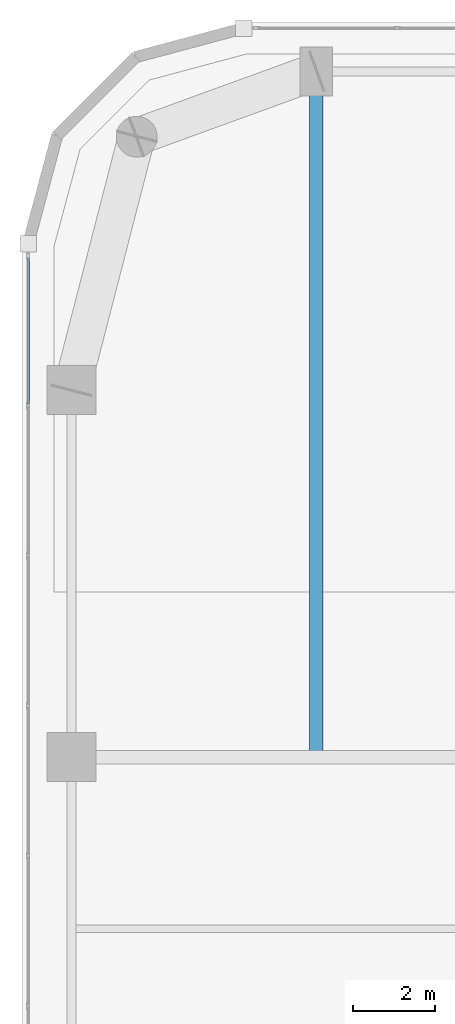
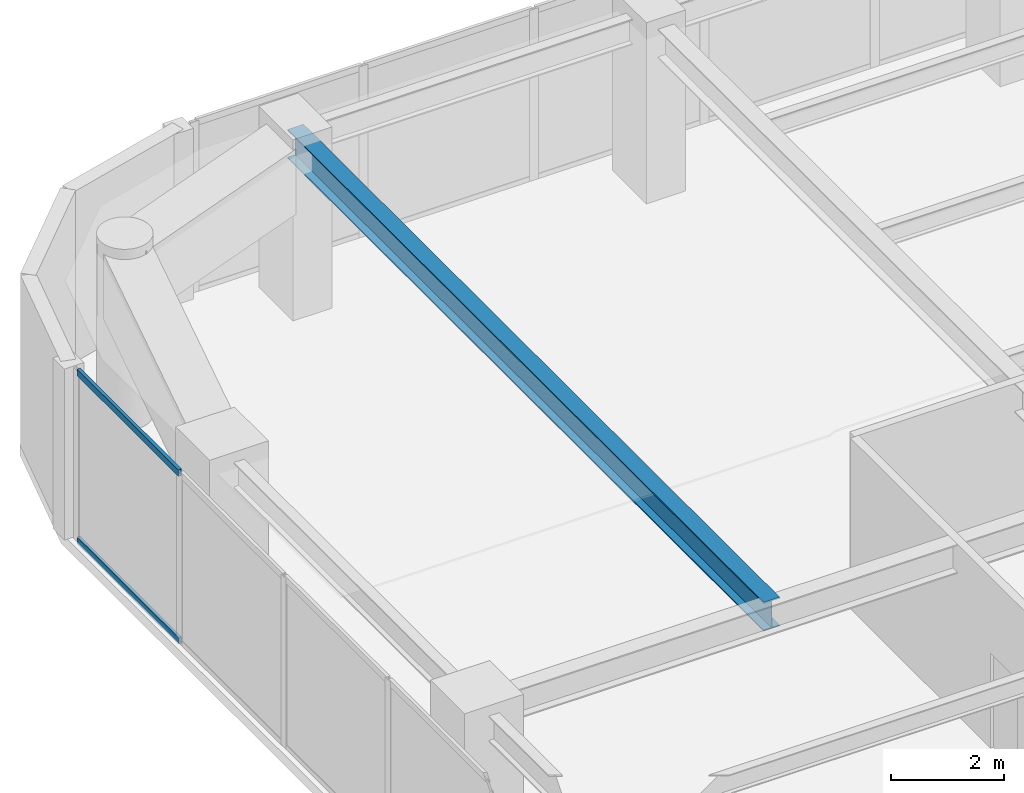
# One storey, part 14 of 30: 2 members, 1 beam, 1 element without a shape of its own.
"""IFC4 building model written with IfcOpenShell, lengths in metres."""

import ifcopenshell
import ifcopenshell.guid

model = None  # the IFC model being written
_history = None  # IfcOwnerHistory: only IFC2X3 demands one
_inside = {}  # id of a spatial element -> (the spatial element, [elements in it])
_under = {}  # id of a project, library or spatial element -> (it, [spatial elements below it])
_declared = {}  # id of a project -> (the project, [libraries it declares])
_typed = {}  # id of a type object -> (the type object, [elements of that type])
_made_of = {}  # id of a material, layer set ... -> (it, [elements and type objects made of it])


def new_model(schema):
    """Start an empty IFC model of exactly this schema.

    Asked for "IFC4X3", IfcOpenShell would pick the latest addendum, in which some entities
    have other attributes; the version numbers below select the first issue.
    IFC2X3 requires an IfcOwnerHistory on every rooted entity: one is made here for all.
    """
    global model, _history
    if schema == "IFC4X3":
        model = ifcopenshell.file(schema_version=(4, 3, 0, 0))
    else:
        model = ifcopenshell.file(schema=schema)
    _inside.clear()
    _under.clear()
    _declared.clear()
    _typed.clear()
    _made_of.clear()
    _history = None
    if model.schema == "IFC2X3":
        org = make("IfcOrganization", Name="unknown")
        user = make(
            "IfcPersonAndOrganization",
            ThePerson=make("IfcPerson", FamilyName="unknown"),
            TheOrganization=org,
        )
        app = make(
            "IfcApplication",
            ApplicationDeveloper=org,
            Version="unknown",
            ApplicationFullName="unknown",
            ApplicationIdentifier="unknown",
        )
        _history = make(
            "IfcOwnerHistory",
            OwningUser=user,
            OwningApplication=app,
            ChangeAction="ADDED",
            CreationDate=0,
        )
    return model


def make(cls, **values):
    """One entity of the class cls with the attributes given. An attribute that is None is left unset."""
    return model.create_entity(
        cls, **{name: value for name, value in values.items() if value is not None}
    )


def rooted(cls, **values):
    """An entity with a GlobalId (a new one), such as an element, a storey or a relation."""
    return make(cls, GlobalId=ifcopenshell.guid.new(), OwnerHistory=_history, **values)


def si_unit(unit_type, name, prefix=None):
    """IfcSIUnit, for example si_unit("LENGTHUNIT", "METRE", prefix="MILLI")."""
    return make("IfcSIUnit", UnitType=unit_type, Prefix=prefix, Name=name)


def assignment(units):
    """IfcUnitAssignment: the units of a project."""
    return None if units is None else make("IfcUnitAssignment", Units=units)


def point(xyz):
    """IfcCartesianPoint."""
    return None if xyz is None else make("IfcCartesianPoint", Coordinates=xyz)


def direction(xyz):
    """IfcDirection."""
    return None if xyz is None else make("IfcDirection", DirectionRatios=xyz)


def frame(location, z_axis=None, x_axis=None):
    """IfcAxis2Placement3D, a coordinate frame: its origin and axes. An axis left out is left unset."""
    return make(
        "IfcAxis2Placement3D",
        Location=point(location),
        Axis=direction(z_axis),
        RefDirection=direction(x_axis),
    )


def frame_2d(location, x_axis=None):
    """IfcAxis2Placement2D, a coordinate frame in the plane: its origin and x axis."""
    return make(
        "IfcAxis2Placement2D", Location=point(location), RefDirection=direction(x_axis)
    )


def origin():
    """The frame at (0, 0, 0) with its axes left unset."""
    return frame((0.0, 0.0, 0.0))


def origin_2d():
    """The frame at (0, 0) in the plane with its x axis left unset."""
    return frame_2d((0.0, 0.0))


def place(relative_to, where):
    """IfcLocalPlacement: puts the frame where relative to a parent placement (None: the world)."""
    return make(
        "IfcLocalPlacement", PlacementRelTo=relative_to, RelativePlacement=where
    )


def context(
    kind, dimensions, precision=None, world=None, true_north=None, identifier=None
):
    """IfcGeometricRepresentationContext, for example the 3D "Model" context."""
    return make(
        "IfcGeometricRepresentationContext",
        ContextIdentifier=identifier,
        ContextType=kind,
        CoordinateSpaceDimension=dimensions,
        Precision=precision,
        WorldCoordinateSystem=world,
        TrueNorth=true_north,
    )


def subcontext(parent, identifier, kind, view, scale=None):
    """IfcGeometricRepresentationSubContext, for example "Body" below "Model"."""
    return make(
        "IfcGeometricRepresentationSubContext",
        ContextIdentifier=identifier,
        ContextType=kind,
        ParentContext=parent,
        TargetScale=scale,
        TargetView=view,
    )


def project(units=None, contexts=None):
    """IfcProject with its units and contexts."""
    return rooted(
        "IfcProject",
        Name="project",
        RepresentationContexts=contexts,
        UnitsInContext=assignment(units),
    )


def spatial(cls, under=None, at=None, **own):
    """A site, building, storey or space (cls), placed at a placement, below another one or the project."""
    s = rooted(cls, ObjectPlacement=at, **own)
    if under is not None:
        _under.setdefault(under.id(), (under, []))[1].append(s)
    return s


def profile(cls, at=None, kind="AREA", **sizes):
    """A parametric profile (cls). Its sizes go by their IFC names, for example OverallWidth=200.0."""
    return make(cls, ProfileType=kind, Position=at, **sizes)


def hollow_rectangle(**sizes):
    """IfcRectangleHollowProfileDef."""
    return profile("IfcRectangleHollowProfileDef", **sizes)


def i_section(**sizes):
    """IfcIShapeProfileDef."""
    return profile("IfcIShapeProfileDef", **sizes)


def extrude(swept, where, along, depth):
    """IfcExtrudedAreaSolid: the profile swept, set in the frame where, extruded along a direction by depth."""
    return make(
        "IfcExtrudedAreaSolid",
        SweptArea=swept,
        Position=where,
        ExtrudedDirection=direction(along),
        Depth=depth,
    )


def shape(context_of_items, identifier, shape_type, items):
    """IfcShapeRepresentation: the items that make up one representation, for example the "Body"."""
    return make(
        "IfcShapeRepresentation",
        ContextOfItems=context_of_items,
        RepresentationIdentifier=identifier,
        RepresentationType=shape_type,
        Items=items,
    )


def material(Name=None, Category=None):
    """IfcMaterial."""
    return make("IfcMaterial", Name=Name, Category=Category)


def layer(
    of_material, thickness, ventilated=None, Name=None, Category=None, Priority=None
):
    """IfcMaterialLayer: one layer of a wall or slab, of a material (None: an air gap)."""
    return make(
        "IfcMaterialLayer",
        Material=of_material,
        LayerThickness=thickness,
        IsVentilated=ventilated,
        Name=Name,
        Category=Category,
        Priority=Priority,
    )


def layer_set(layers, Name=None):
    """IfcMaterialLayerSet."""
    return make("IfcMaterialLayerSet", MaterialLayers=layers, LayerSetName=Name)


def material_profile(
    of_material, cross_section, Name=None, Category=None, Priority=None
):
    """IfcMaterialProfile: a cross section and its material."""
    return make(
        "IfcMaterialProfile",
        Name=Name,
        Material=of_material,
        Profile=cross_section,
        Priority=Priority,
        Category=Category,
    )


def profile_set(profiles, Name=None, composite=None):
    """IfcMaterialProfileSet."""
    return make(
        "IfcMaterialProfileSet",
        Name=Name,
        MaterialProfiles=profiles,
        CompositeProfile=composite,
    )


def made_of(thing, what):
    """Note that an element or type object is made of a material, layer set ...; save() writes the relation."""
    if what is not None:
        _made_of.setdefault(what.id(), (what, []))[1].append(thing)
    return thing


def type_object(cls, material=None, **own):
    """A type object (cls), such as IfcWallType, which elements share."""
    return made_of(rooted(cls, **own), material)


def element(
    cls,
    number,
    at=None,
    inside=None,
    cuts=None,
    type_object=None,
    material=None,
    context=None,
    identifier="Body",
    shape_type=None,
    held_by="IfcProductDefinitionShape",
    body=None,
    shapes=None,
    **own,
):
    """One element of the class cls, such as IfcWall. Its Tag is "e" and its number.

    at: its placement. inside: the storey or other place that contains it. cuts: it is an
    opening in that element (IfcRelVoidsElement). A single representation is given by context,
    identifier, shape_type and body (its items); several are given by shapes. held_by: the class
    of the entity that holds the representations. save() writes the other relations.
    """
    e = rooted(cls, Tag="e%d" % number, ObjectPlacement=at, **own)
    if body is not None:
        shapes = [shape(context, identifier, shape_type, body)]
    if shapes is not None:
        e.Representation = make(held_by, Representations=shapes)
    if inside is not None:
        _inside.setdefault(inside.id(), (inside, []))[1].append(e)
    if cuts is not None:
        rooted(
            "IfcRelVoidsElement", RelatingBuildingElement=cuts, RelatedOpeningElement=e
        )
    if type_object is not None:
        _typed.setdefault(type_object.id(), (type_object, []))[1].append(e)
    return made_of(e, material)


def aggregate(whole, parts):
    """IfcRelAggregates: a whole, such as a stair, and the parts it consists of."""
    return rooted("IfcRelAggregates", RelatingObject=whole, RelatedObjects=parts)


def save(model, path):
    """Write the relations noted so far, then the file.

    IfcRelAggregates (storeys below a building ...), IfcRelContainedInSpatialStructure (elements
    in a storey), IfcRelDefinesByType, IfcRelAssociatesMaterial and IfcRelDeclares: one each for
    every whole, place, type object, material and project.
    """
    for whole, parts in _under.values():
        aggregate(whole, parts)
    for where, things in _inside.values():
        rooted(
            "IfcRelContainedInSpatialStructure",
            RelatedElements=things,
            RelatingStructure=where,
        )
    for kind, things in _typed.values():
        rooted("IfcRelDefinesByType", RelatedObjects=things, RelatingType=kind)
    for what, things in _made_of.values():
        rooted("IfcRelAssociatesMaterial", RelatedObjects=things, RelatingMaterial=what)
    for by, libraries in _declared.values():
        rooted("IfcRelDeclares", RelatingContext=by, RelatedDefinitions=libraries)
    model.write(path)


model = new_model("IFC4")

# Units and contexts
model_context = context("Model", 3, precision=1e-05, world=origin(), true_north=direction((0.0, 1.0)))
body_context = subcontext(model_context, "Body", "Model", "MODEL_VIEW")
ifc_project = project(units=[si_unit("LENGTHUNIT", "METRE"), si_unit("AREAUNIT", "SQUARE_METRE"), si_unit("VOLUMEUNIT", "CUBIC_METRE"), si_unit("PLANEANGLEUNIT", "RADIAN"), si_unit("MASSUNIT", "GRAM", prefix="KILO")], contexts=[model_context])

# Site, building, storey
site_placement = place(None, origin())
site = spatial("IfcSite", under=ifc_project, at=site_placement, CompositionType="ELEMENT")
building_placement = place(site_placement, origin())
building = spatial("IfcBuilding", under=site, at=building_placement, Name="Kiyonajd Concourse Tower", CompositionType="ELEMENT")
storey_placement = place(building_placement, frame((0.0, 0.0, 201.89990234375)))
storey = spatial("IfcBuildingStorey", under=building, at=storey_placement, Name="L51", CompositionType="ELEMENT", Elevation=201.89990234375)

# Beam
ifc_material_1 = material(Name="Steel ASTM A992 Grade 50", Category="steel")
ifc_material_profile_1 = material_profile(ifc_material_1, i_section(OverallWidth=0.326904296875, OverallDepth=0.6220703125, WebThickness=0.015380859375, FlangeThickness=0.0244140625, at=origin_2d()), Name="W610X195")
ifc_profile_set_1 = profile_set([ifc_material_profile_1], Name="Steel ASTM A992 Grade 50")
beam_type = type_object("IfcBeamType", Name="BM-TWR-610A", PredefinedType="BEAM", material=ifc_profile_set_1)
beam_placement = place(storey_placement, frame((25.199951171875, 44.39990234375, 3.369140625), z_axis=(0.0, 1.0, 0.0), x_axis=(-1.0, 0.0, 0.0)))
element("IfcBeam", 1, at=beam_placement, inside=storey, type_object=beam_type, Name="L51 North Lease Girder", PredefinedType="BEAM", context=body_context, shape_type="SweptSolid", body=[
    extrude(i_section(OverallWidth=0.326904296875, OverallDepth=0.6220703125, WebThickness=0.015380859375, FlangeThickness=0.0244140625, at=origin_2d()), origin(), (0.0, 0.0, 1.0), 16.800048828125),
])

# Curtain wall, members
ifc_material_2 = material(Name="Thermally Broken Anodised Aluminium", Category="aluminium")
ifc_layer = layer(ifc_material_2, 0.179931640625)
ifc_layer_set = layer_set([ifc_layer], Name="Thermally Broken Anodised Aluminium")
curtain_wall_type = type_object("IfcCurtainWallType", Name="CW-SYS-03", PredefinedType="NOTDEFINED", material=ifc_layer_set)
curtain_wall_placement = place(storey_placement, origin())
curtain_wall = element("IfcCurtainWall", 2, at=curtain_wall_placement, inside=storey, type_object=curtain_wall_type, Name="L51 Unitised Curtain Wall CW3", PredefinedType="NOTDEFINED")
ifc_material_profile_2 = material_profile(ifc_material_2, hollow_rectangle(XDim=0.06494140625, YDim=0.139892578125, WallThickness=0.00390625, at=origin_2d()), Name="TRAN-65x140")
ifc_profile_set_2 = profile_set([ifc_material_profile_2], Name="Thermally Broken Anodised Aluminium")
member_type = type_object("IfcMemberType", Name="MB-CW-TRAN1", PredefinedType="USERDEFINED", material=ifc_profile_set_2)
member_1_placement = place(storey_placement, frame((18.139892578125, 53.047119140625, 0.03271484375), z_axis=(0.0, 1.0, 0.0), x_axis=(-1.0, 0.0, 0.0)))
member_1 = element("IfcMember", 3, at=member_1_placement, type_object=member_type, Name="CW3 transom 6.1", ObjectType="TRANSOM", PredefinedType="USERDEFINED", context=body_context, shape_type="SweptSolid", body=[
    extrude(hollow_rectangle(XDim=0.06494140625, YDim=0.139892578125, WallThickness=0.00390625, at=origin_2d()), origin(), (0.0, 0.0, 1.0), 3.57958984375),
])
member_2_placement = place(storey_placement, frame((18.139892578125, 53.047119140625, 3.647705078125), z_axis=(0.0, 1.0, 0.0), x_axis=(-1.0, 0.0, 0.0)))
member_2 = element("IfcMember", 4, at=member_2_placement, type_object=member_type, Name="CW3 transom 6.2", ObjectType="TRANSOM", PredefinedType="USERDEFINED", context=body_context, shape_type="SweptSolid", body=[
    extrude(hollow_rectangle(XDim=0.06494140625, YDim=0.139892578125, WallThickness=0.00390625, at=origin_2d()), origin(), (0.0, 0.0, 1.0), 3.57958984375),
])
aggregate(curtain_wall, [member_1, member_2])

save(model, "model.ifc")
